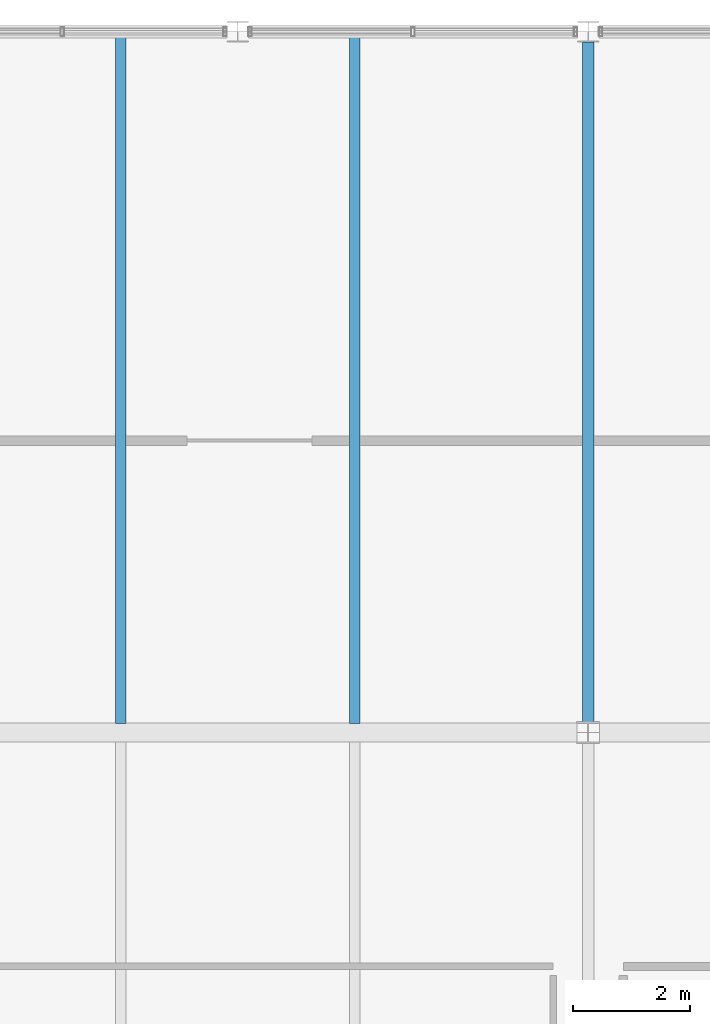
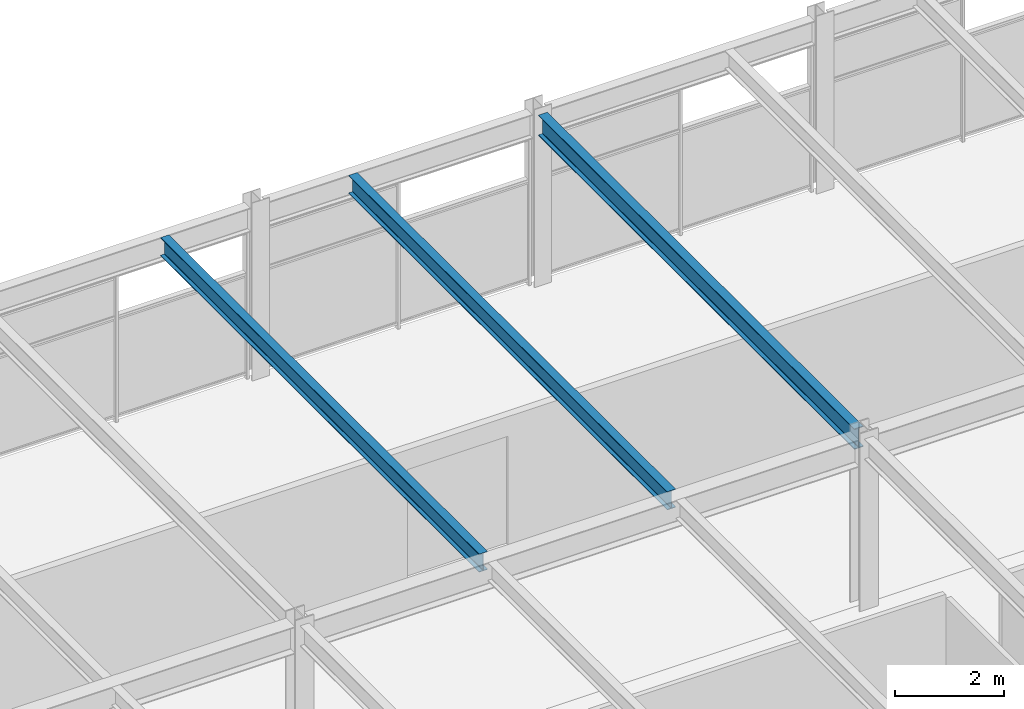
# One storey, part 22 of 40: 3 beams.
"""IFC4 building model written with IfcOpenShell, lengths in metres."""

from ifc_helpers import new_model, si_unit, direction, frame, origin, origin_2d, place, context, subcontext, project, spatial, i_section, extrude, material, material_profile, profile_set, type_object, element, save


model = new_model("IFC4")

# Units and contexts
model_context = context("Model", 3, precision=1e-05, world=origin(), true_north=direction((0.0, 1.0)))
body_context = subcontext(model_context, "Body", "Model", "MODEL_VIEW")
ifc_project = project(units=[si_unit("LENGTHUNIT", "METRE"), si_unit("AREAUNIT", "SQUARE_METRE"), si_unit("VOLUMEUNIT", "CUBIC_METRE"), si_unit("PLANEANGLEUNIT", "RADIAN"), si_unit("MASSUNIT", "GRAM", prefix="KILO")], contexts=[model_context])

# Site, building, storey
site_placement = place(None, origin())
site = spatial("IfcSite", under=ifc_project, at=site_placement, CompositionType="ELEMENT")
building_placement = place(site_placement, origin())
building = spatial("IfcBuilding", under=site, at=building_placement, Name="Girod Span Mobility Hub", CompositionType="ELEMENT")
storey_placement = place(building_placement, frame((0.0, 0.0, 57.60009765625)))
storey = spatial("IfcBuildingStorey", under=building, at=storey_placement, Name="L14", CompositionType="ELEMENT", Elevation=57.60009765625)

# Beams
ifc_material_1 = material(Name="Steel A992 Grade 50", Category="steel")
ifc_material_profile_1 = material_profile(ifc_material_1, i_section(OverallWidth=0.178955078125, OverallDepth=0.409912109375, WebThickness=0.0087890625, FlangeThickness=0.014404296875, FilletRadius=0.012939453125, at=origin_2d()), Name="W16X45")
ifc_profile_set_1 = profile_set([ifc_material_profile_1], Name="Steel A992 Grade 50")
beam_type_1 = type_object("IfcBeamType", Name="BM-STL-W16X45", PredefinedType="BEAM", material=ifc_profile_set_1)
for number, where, z_axis, x_axis, name in (
    (1, (88.0, 57.158935546875, 3.64501953125), (0.0, 1.0, 0.0), (-1.0, 0.0, 0.0), "Composite Floorbeam 8/E-1 L14"),
    (2, (92.0, 57.158935546875, 3.64501953125), (0.0, 1.0, 0.0), (-1.0, 0.0, 0.0), "Composite Floorbeam 8/E-2 L14"),
):
    element("IfcBeam", number, at=place(storey_placement, frame(where, z_axis=z_axis, x_axis=x_axis)), inside=storey, type_object=beam_type_1, Name=name, PredefinedType="BEAM", context=body_context, shape_type="SweptSolid", body=[
        extrude(i_section(OverallWidth=0.178955078125, OverallDepth=0.409912109375, WebThickness=0.0087890625, FlangeThickness=0.014404296875, FilletRadius=0.012939453125, at=origin_2d()), origin(), (0.0, 0.0, 1.0), 11.738037109375),
    ])
ifc_material_2 = material(Name="Steel A992 Grade 50", Category="steel")
ifc_material_profile_2 = material_profile(ifc_material_2, i_section(OverallWidth=0.19189453125, OverallDepth=0.462890625, WebThickness=0.010498046875, FlangeThickness=0.017578125, FilletRadius=0.013916015625, at=origin_2d()), Name="W18X60")
ifc_profile_set_2 = profile_set([ifc_material_profile_2], Name="Steel A992 Grade 50")
beam_type_2 = type_object("IfcBeamType", Name="BM-STL-W18X60", PredefinedType="BEAM", material=ifc_profile_set_2)
beam_placement = place(storey_placement, frame((96.0, 57.1845703125, 3.618408203125), z_axis=(0.0, 1.0, 0.0), x_axis=(-1.0, 0.0, 0.0)))
element("IfcBeam", 3, at=beam_placement, inside=storey, type_object=beam_type_2, Name="Tie Girder 9/E-F L14", PredefinedType="BEAM", context=body_context, shape_type="SweptSolid", body=[
    extrude(i_section(OverallWidth=0.19189453125, OverallDepth=0.462890625, WebThickness=0.010498046875, FlangeThickness=0.017578125, FilletRadius=0.013916015625, at=origin_2d()), origin(), (0.0, 0.0, 1.0), 11.640380859375),
])

save(model, "model.ifc")
